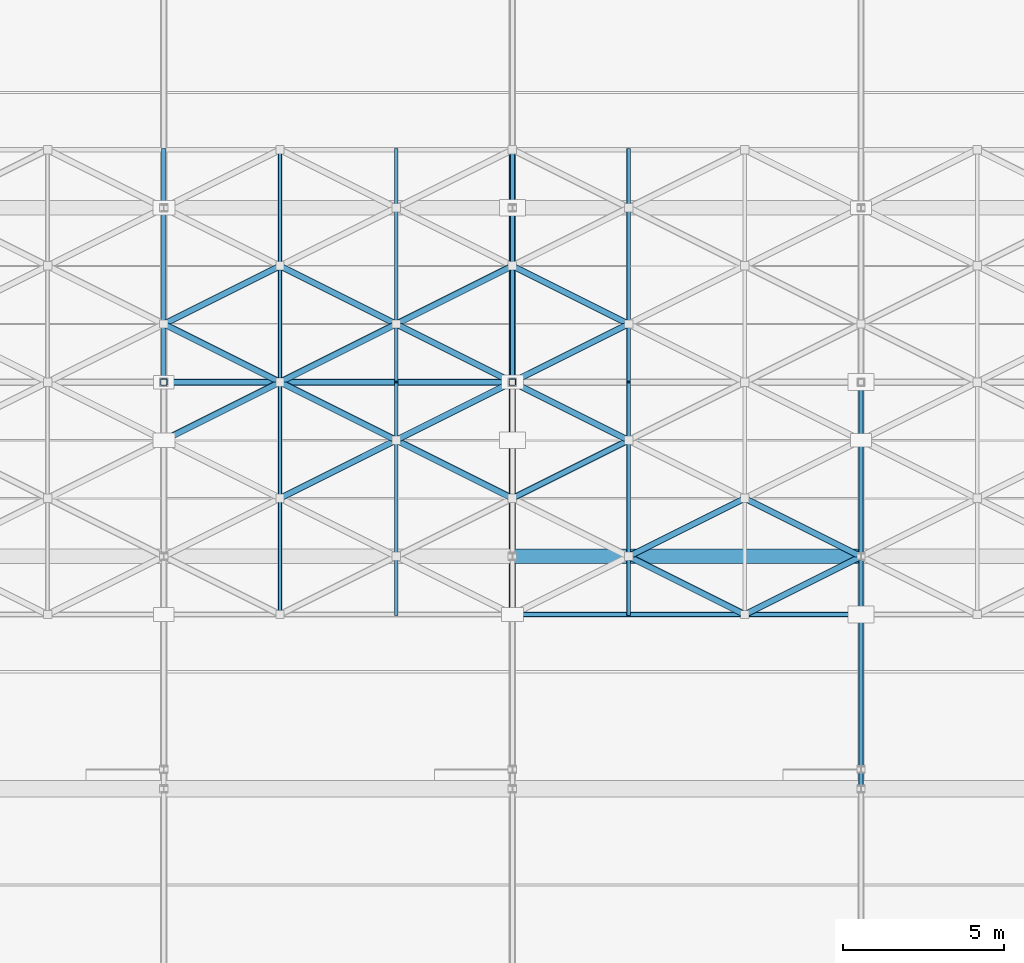
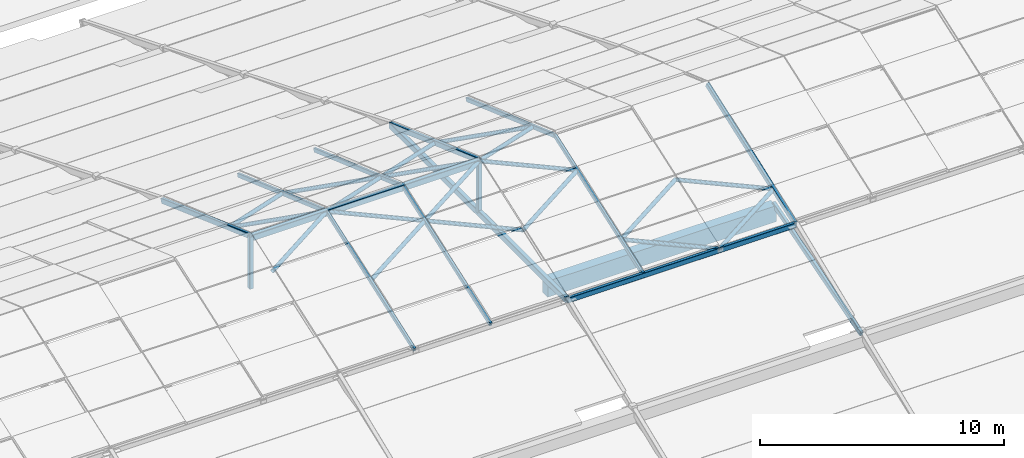
# One storey, part 44 of 112: 34 members, 1 beam.
"""IFC4 building model written with IfcOpenShell, lengths in metres."""

from ifc_helpers import new_model, si_unit, direction, frame, origin, origin_2d, place, context, subcontext, project, spatial, rectangle, hollow_rectangle, hollow_circle, extrude, material, material_profile, profile_set, type_object, element, save


model = new_model("IFC4")

# Units and contexts
model_context = context("Model", 3, precision=1e-05, world=origin(), true_north=direction((0.0, 1.0)))
body_context = subcontext(model_context, "Body", "Model", "MODEL_VIEW")
ifc_project = project(units=[si_unit("LENGTHUNIT", "METRE"), si_unit("AREAUNIT", "SQUARE_METRE"), si_unit("VOLUMEUNIT", "CUBIC_METRE"), si_unit("PLANEANGLEUNIT", "RADIAN"), si_unit("MASSUNIT", "GRAM", prefix="KILO")], contexts=[model_context])

# Site, building, storey
site_placement = place(None, origin())
site = spatial("IfcSite", under=ifc_project, at=site_placement, CompositionType="ELEMENT")
building_placement = place(site_placement, origin())
building = spatial("IfcBuilding", under=site, at=building_placement, Name="Zwinboog Wholesale Market", CompositionType="ELEMENT")
storey_placement = place(building_placement, frame((0.0, 0.0, 19.080078125)))
storey = spatial("IfcBuildingStorey", under=building, at=storey_placement, Name="Roof", CompositionType="ELEMENT", Elevation=19.080078125)

# Beam
ifc_material_1 = material(Name="Precast concrete C45/55", Category="concrete")
ifc_material_profile_1 = material_profile(ifc_material_1, rectangle(XDim=0.449951171875, YDim=0.800048828125, at=origin_2d()), Name="PC 450x800")
ifc_profile_set_1 = profile_set([ifc_material_profile_1], Name="Precast concrete C45/55")
beam_type = type_object("IfcBeamType", Name="BT-07", PredefinedType="BEAM", material=ifc_profile_set_1)
beam_placement = place(storey_placement, frame((108.0, 70.199951171875, 0.16796875), z_axis=(1.0, 0.0, 0.0), x_axis=(0.0, 1.0, 0.0)))
element("IfcBeam", 1, at=beam_placement, inside=storey, type_object=beam_type, Name="EB-02 (BMG-Roof-1080-0702-1097)", PredefinedType="BEAM", context=body_context, shape_type="SweptSolid", body=[
    extrude(rectangle(XDim=0.449951171875, YDim=0.800048828125, at=origin_2d()), origin(), (0.0, 0.0, 1.0), 10.800048828125),
])

# Members
ifc_material_2 = material(Name="Steel S355", Category="steel")
ifc_material_profile_2 = material_profile(ifc_material_2, hollow_rectangle(XDim=0.199951171875, YDim=0.300048828125, WallThickness=0.012451171875, InnerFilletRadius=0.012451171875, OuterFilletRadius=0.02490234375, at=origin_2d()), Name="RHS 300x200x12.5")
ifc_profile_set_2 = profile_set([ifc_material_profile_2], Name="Steel S355")
member_type_1 = type_object("IfcMemberType", Name="MT-01", PredefinedType="CHORD", material=ifc_profile_set_2)
member_1_placement = place(storey_placement, frame((108.0, 68.39990234375, 0.619873046875), z_axis=(0.0, 1.0, 0.0), x_axis=(-1.0, 0.0, 0.0)))
element("IfcMember", 2, at=member_1_placement, inside=storey, type_object=member_type_1, Name="DC-01 (MEM-Roof-0147)", PredefinedType="CHORD", context=body_context, shape_type="SweptSolid", body=[
    extrude(hollow_rectangle(XDim=0.199951171875, YDim=0.300048828125, WallThickness=0.012451171875, InnerFilletRadius=0.012451171875, OuterFilletRadius=0.02490234375, at=origin_2d()), origin(), (0.0, 0.0, 1.0), 14.400146484375),
])
member_2_placement = place(storey_placement, frame((97.199951171875, 75.60009765625, 3.139892578125), z_axis=(1.0, 0.0, 0.0), x_axis=(0.0, 1.0, 0.0)))
element("IfcMember", 3, at=member_2_placement, inside=storey, type_object=member_type_1, Name="DC-01 (MEM-Roof-0340)", PredefinedType="CHORD", context=body_context, shape_type="SweptSolid", body=[
    extrude(hollow_rectangle(XDim=0.199951171875, YDim=0.300048828125, WallThickness=0.012451171875, InnerFilletRadius=0.012451171875, OuterFilletRadius=0.02490234375, at=origin_2d()), origin(), (0.0, 0.0, 1.0), 10.800048828125),
])
ifc_material_profile_3 = material_profile(ifc_material_2, hollow_rectangle(XDim=0.14990234375, YDim=0.25, WallThickness=0.010009765625, InnerFilletRadius=0.010009765625, OuterFilletRadius=0.02001953125, at=origin_2d()), Name="RHS 250x150x10")
ifc_profile_set_3 = profile_set([ifc_material_profile_3], Name="Steel S355")
member_type_2 = type_object("IfcMemberType", Name="MT-02", PredefinedType="CHORD", material=ifc_profile_set_3)
for number, where, z_axis, x_axis, name in (
    (4, (97.199951171875, 82.800048828125, 0.619873046875), (0.0, -0.940549088473, 0.339657786858), (1.0, 0.0, 0.0), "DC-02 (MEM-Roof-0120)"),
    (5, (108.0, 82.800048828125, 0.619873046875), (0.0, -0.940549088473, 0.339657786858), (1.0, 0.0, 0.0), "DC-02 (MEM-Roof-0150)"),
):
    element("IfcMember", number, at=place(storey_placement, frame(where, z_axis=z_axis, x_axis=x_axis)), inside=storey, type_object=member_type_2, Name=name, PredefinedType="CHORD", context=body_context, shape_type="SweptSolid", body=[
        extrude(hollow_rectangle(XDim=0.14990234375, YDim=0.25, WallThickness=0.010009765625, InnerFilletRadius=0.010009765625, OuterFilletRadius=0.02001953125, at=origin_2d()), origin(), (0.0, 0.0, 1.0), 7.655029296875),
    ])
member_3_placement = place(storey_placement, frame((118.800048828125, 63.0, -1.60009765625), z_axis=(0.0, 0.958194819429, 0.286116563694), x_axis=(-1.0, 0.0, 0.0)))
element("IfcMember", 6, at=member_3_placement, inside=storey, type_object=member_type_2, Name="DC-02 (MEM-Roof-0163)", PredefinedType="CHORD", context=body_context, shape_type="SweptSolid", body=[
    extrude(hollow_rectangle(XDim=0.14990234375, YDim=0.25, WallThickness=0.010009765625, InnerFilletRadius=0.010009765625, OuterFilletRadius=0.02001953125, at=origin_2d()), origin(), (0.0, 0.0, 1.0), 7.51416015625),
])
member_4_placement = place(storey_placement, frame((118.800048828125, 68.39990234375, 0.619873046875), z_axis=(0.0, 0.940552767691, 0.339647598532), x_axis=(-1.0, 0.0, 0.0)))
element("IfcMember", 7, at=member_4_placement, inside=storey, type_object=member_type_2, Name="DC-02 (MEM-Roof-0179)", PredefinedType="CHORD", context=body_context, shape_type="SweptSolid", body=[
    extrude(hollow_rectangle(XDim=0.14990234375, YDim=0.25, WallThickness=0.010009765625, InnerFilletRadius=0.010009765625, OuterFilletRadius=0.02001953125, at=origin_2d()), origin(), (0.0, 0.0, 1.0), 7.6552734375),
])
member_5_placement = place(storey_placement, frame((108.0, 68.39990234375, 0.58984375), z_axis=(1.0, 0.0, 0.0), x_axis=(0.0, 1.0, 0.0)))
element("IfcMember", 8, at=member_5_placement, inside=storey, type_object=member_type_2, Name="DC-02 (MEM-Roof-0344)", PredefinedType="CHORD", context=body_context, shape_type="SweptSolid", body=[
    extrude(hollow_rectangle(XDim=0.14990234375, YDim=0.25, WallThickness=0.010009765625, InnerFilletRadius=0.010009765625, OuterFilletRadius=0.02001953125, at=origin_2d()), origin(), (0.0, 0.0, 1.0), 10.800048828125),
])
ifc_material_profile_4 = material_profile(ifc_material_2, hollow_rectangle(XDim=0.1201171875, YDim=0.199951171875, WallThickness=0.008056640625, InnerFilletRadius=0.008056640625, OuterFilletRadius=0.01611328125, at=origin_2d()), Name="RHS 200x120x8")
ifc_profile_set_4 = profile_set([ifc_material_profile_4], Name="Steel S355")
member_type_3 = type_object("IfcMemberType", Name="MT-03", PredefinedType="CHORD", material=ifc_profile_set_4)
member_6_placement = place(storey_placement, frame((100.800048828125, 68.39990234375, 0.6298828125), z_axis=(0.0, 0.942628063348, 0.333844775589), x_axis=(-1.0, 0.0, 0.0)))
element("IfcMember", 9, at=member_6_placement, inside=storey, type_object=member_type_3, Name="DC-03 (MEM-Roof-0461)", PredefinedType="CHORD", context=body_context, shape_type="SweptSolid", body=[
    extrude(hollow_rectangle(XDim=0.1201171875, YDim=0.199951171875, WallThickness=0.008056640625, InnerFilletRadius=0.008056640625, OuterFilletRadius=0.01611328125, at=origin_2d()), origin(), (0.0, 0.0, 1.0), 7.638427734375),
])
member_7_placement = place(storey_placement, frame((100.800048828125, 82.800048828125, 0.6298828125), z_axis=(0.0, -0.94262450093, 0.333854834092), x_axis=(1.0, 0.0, 0.0)))
element("IfcMember", 10, at=member_7_placement, inside=storey, type_object=member_type_3, Name="DC-03 (MEM-Roof-0462)", PredefinedType="CHORD", context=body_context, shape_type="SweptSolid", body=[
    extrude(hollow_rectangle(XDim=0.1201171875, YDim=0.199951171875, WallThickness=0.008056640625, InnerFilletRadius=0.008056640625, OuterFilletRadius=0.01611328125, at=origin_2d()), origin(), (0.0, 0.0, 1.0), 7.63818359375),
])
member_8_placement = place(storey_placement, frame((104.39990234375, 68.39990234375, 0.6298828125), z_axis=(0.0, 0.942628063348, 0.333844775589), x_axis=(-1.0, 0.0, 0.0)))
element("IfcMember", 11, at=member_8_placement, inside=storey, type_object=member_type_3, Name="DC-03 (MEM-Roof-0471)", PredefinedType="CHORD", context=body_context, shape_type="SweptSolid", body=[
    extrude(hollow_rectangle(XDim=0.1201171875, YDim=0.199951171875, WallThickness=0.008056640625, InnerFilletRadius=0.008056640625, OuterFilletRadius=0.01611328125, at=origin_2d()), origin(), (0.0, 0.0, 1.0), 7.638427734375),
])
member_9_placement = place(storey_placement, frame((104.39990234375, 82.800048828125, 0.6298828125), z_axis=(0.0, -0.94262450093, 0.333854834092), x_axis=(1.0, 0.0, 0.0)))
element("IfcMember", 12, at=member_9_placement, inside=storey, type_object=member_type_3, Name="DC-03 (MEM-Roof-0472)", PredefinedType="CHORD", context=body_context, shape_type="SweptSolid", body=[
    extrude(hollow_rectangle(XDim=0.1201171875, YDim=0.199951171875, WallThickness=0.008056640625, InnerFilletRadius=0.008056640625, OuterFilletRadius=0.01611328125, at=origin_2d()), origin(), (0.0, 0.0, 1.0), 7.63818359375),
])
member_10_placement = place(storey_placement, frame((111.60009765625, 68.39990234375, 0.6298828125), z_axis=(0.0, 0.942628063348, 0.333844775589), x_axis=(-1.0, 0.0, 0.0)))
element("IfcMember", 13, at=member_10_placement, inside=storey, type_object=member_type_3, Name="DC-03 (MEM-Roof-0491)", PredefinedType="CHORD", context=body_context, shape_type="SweptSolid", body=[
    extrude(hollow_rectangle(XDim=0.1201171875, YDim=0.199951171875, WallThickness=0.008056640625, InnerFilletRadius=0.008056640625, OuterFilletRadius=0.01611328125, at=origin_2d()), origin(), (0.0, 0.0, 1.0), 7.638427734375),
])
member_11_placement = place(storey_placement, frame((111.60009765625, 82.800048828125, 0.6298828125), z_axis=(0.0, -0.94262450093, 0.333854834092), x_axis=(1.0, 0.0, 0.0)))
element("IfcMember", 14, at=member_11_placement, inside=storey, type_object=member_type_3, Name="DC-03 (MEM-Roof-0492)", PredefinedType="CHORD", context=body_context, shape_type="SweptSolid", body=[
    extrude(hollow_rectangle(XDim=0.1201171875, YDim=0.199951171875, WallThickness=0.008056640625, InnerFilletRadius=0.008056640625, OuterFilletRadius=0.01611328125, at=origin_2d()), origin(), (0.0, 0.0, 1.0), 7.63818359375),
])
ifc_material_profile_5 = material_profile(ifc_material_2, hollow_rectangle(XDim=0.199951171875, YDim=0.199951171875, WallThickness=0.010009765625, InnerFilletRadius=0.010009765625, OuterFilletRadius=0.02001953125, at=origin_2d()), Name="SHS 200x200x10")
ifc_profile_set_5 = profile_set([ifc_material_profile_5], Name="Steel S355")
member_type_4 = type_object("IfcMemberType", Name="MT-04", PredefinedType="BRACE", material=ifc_profile_set_5)
for number, where, z_axis, x_axis, name in (
    (15, (97.199951171875, 75.60009765625, 0.619873046875), (0.0, 0.0, 1.0), (1.0, 0.0, 0.0), "DB-01 (MEM-Roof-0118)"),
    (16, (108.0, 75.60009765625, 0.619873046875), (0.0, 0.0, 1.0), (1.0, 0.0, 0.0), "DB-01 (MEM-Roof-0148)"),
):
    element("IfcMember", number, at=place(storey_placement, frame(where, z_axis=z_axis, x_axis=x_axis)), inside=storey, type_object=member_type_4, Name=name, PredefinedType="BRACE", context=body_context, shape_type="SweptSolid", body=[
        extrude(hollow_rectangle(XDim=0.199951171875, YDim=0.199951171875, WallThickness=0.010009765625, InnerFilletRadius=0.010009765625, OuterFilletRadius=0.02001953125, at=origin_2d()), origin(), (0.0, 0.0, 1.0), 2.60009765625),
    ])
ifc_material_profile_6 = material_profile(ifc_material_2, hollow_circle(Radius=0.096923828125, WallThickness=0.010009765625, at=origin_2d()), Name="CHS 193.7x10")
ifc_profile_set_6 = profile_set([ifc_material_profile_6], Name="Steel S355")
member_type_5 = type_object("IfcMemberType", Name="MT-06", PredefinedType="BRACE", material=ifc_profile_set_6)
for number, where, z_axis, x_axis, name in (
    (17, (97.199951171875, 73.800048828125, 2.54248046875), (0.883417044144, 0.441708522072, 0.156422209566), (-0.4472135955, 0.894427191, 0.0), "DB-03 (MEM-Roof-0456)"),
    (18, (97.199951171875, 77.39990234375, 2.54248046875), (0.883440420719, -0.441660299847, 0.156426348738), (0.447165069061, 0.894451452574, 0.0), "DB-03 (MEM-Roof-0457)"),
    (19, (97.199951171875, 77.39990234375, 2.54248046875), (0.883417044144, 0.441708522072, -0.156422209566), (-0.4472135955, 0.894427191, 0.0), "DB-03 (MEM-Roof-0458)"),
):
    element("IfcMember", number, at=place(storey_placement, frame(where, z_axis=z_axis, x_axis=x_axis)), inside=storey, type_object=member_type_5, Name=name, PredefinedType="BRACE", context=body_context, shape_type="SweptSolid", body=[
        extrude(hollow_circle(Radius=0.096923828125, WallThickness=0.010009765625, at=origin_2d()), origin(), (0.0, 0.0, 1.0), 4.0751953125),
    ])
for number, where, z_axis, x_axis, name in (
    (20, (100.800048828125, 72.0, 1.905029296875), (0.883403888637, 0.441731900368, 0.15643048852), (-0.447237858884, 0.894415058897, 0.0), "DB-03 (MEM-Roof-0465)"),
    (21, (100.800048828125, 75.60009765625, 3.179931640625), (0.883403888637, -0.441731900368, -0.15643048852), (0.447237858884, 0.894415058897, 0.0), "DB-03 (MEM-Roof-0466)"),
    (22, (100.800048828125, 75.60009765625, 3.179931640625), (0.883427267339, 0.441683676827, -0.15643462835), (-0.447189331129, 0.894439322774, 0.0), "DB-03 (MEM-Roof-0467)"),
    (23, (100.800048828125, 79.199951171875, 1.905029296875), (0.883403888637, -0.441731900368, 0.15643048852), (0.447237858884, 0.894415058897, 0.0), "DB-03 (MEM-Roof-0468)"),
):
    element("IfcMember", number, at=place(storey_placement, frame(where, z_axis=z_axis, x_axis=x_axis)), inside=storey, type_object=member_type_5, Name=name, PredefinedType="BRACE", context=body_context, shape_type="SweptSolid", body=[
        extrude(hollow_circle(Radius=0.096923828125, WallThickness=0.010009765625, at=origin_2d()), origin(), (0.0, 0.0, 1.0), 4.074951171875),
    ])
for number, where, z_axis, x_axis, name in (
    (24, (104.39990234375, 73.800048828125, 2.54248046875), (0.883417044144, -0.441708522072, -0.156422209566), (0.4472135955, 0.894427191, 0.0), "DB-03 (MEM-Roof-0475)"),
    (25, (104.39990234375, 73.800048828125, 2.54248046875), (0.883417044144, 0.441708522072, 0.156422209566), (-0.4472135955, 0.894427191, 0.0), "DB-03 (MEM-Roof-0476)"),
    (26, (104.39990234375, 77.39990234375, 2.54248046875), (0.883440420719, -0.441660299847, 0.156426348738), (0.447165069061, 0.894451452574, 0.0), "DB-03 (MEM-Roof-0477)"),
    (27, (104.39990234375, 77.39990234375, 2.54248046875), (0.883417044144, 0.441708522072, -0.156422209566), (-0.4472135955, 0.894427191, 0.0), "DB-03 (MEM-Roof-0478)"),
    (28, (108.0, 72.0, 1.905029296875), (0.883417044144, 0.441708522072, 0.156422209566), (-0.4472135955, 0.894427191, 0.0), "DB-03 (MEM-Roof-0485)"),
    (29, (108.0, 75.60009765625, 3.179931640625), (0.883417044144, -0.441708522072, -0.156422209566), (0.4472135955, 0.894427191, 0.0), "DB-03 (MEM-Roof-0486)"),
    (30, (108.0, 75.60009765625, 3.179931640625), (0.883440420719, 0.441660299847, -0.156426348738), (-0.447165069061, 0.894451452574, 0.0), "DB-03 (MEM-Roof-0487)"),
    (31, (108.0, 79.199951171875, 1.905029296875), (0.883417044144, -0.441708522072, 0.156422209566), (0.4472135955, 0.894427191, 0.0), "DB-03 (MEM-Roof-0488)"),
):
    element("IfcMember", number, at=place(storey_placement, frame(where, z_axis=z_axis, x_axis=x_axis)), inside=storey, type_object=member_type_5, Name=name, PredefinedType="BRACE", context=body_context, shape_type="SweptSolid", body=[
        extrude(hollow_circle(Radius=0.096923828125, WallThickness=0.010009765625, at=origin_2d()), origin(), (0.0, 0.0, 1.0), 4.0751953125),
    ])
for number, where, z_axis, x_axis, name in (
    (32, (111.60009765625, 70.199951171875, 1.267333984375), (0.883403888637, -0.441731900368, -0.15643048852), (0.447237858884, 0.894415058897, 0.0), "DB-03 (MEM-Roof-0493)"),
    (33, (111.60009765625, 70.199951171875, 1.267333984375), (0.883395607837, 0.441727759687, 0.156488933718), (-0.447237858884, 0.894415058897, 0.0), "DB-03 (MEM-Roof-0494)"),
):
    element("IfcMember", number, at=place(storey_placement, frame(where, z_axis=z_axis, x_axis=x_axis)), inside=storey, type_object=member_type_5, Name=name, PredefinedType="BRACE", context=body_context, shape_type="SweptSolid", body=[
        extrude(hollow_circle(Radius=0.096923828125, WallThickness=0.010009765625, at=origin_2d()), origin(), (0.0, 0.0, 1.0), 4.074951171875),
    ])
for number, where, z_axis, x_axis, name in (
    (34, (115.199951171875, 68.39990234375, 0.6298828125), (0.883417044144, 0.441708522072, 0.156422209566), (-0.4472135955, 0.894427191, 0.0), "DB-03 (MEM-Roof-0503)"),
    (35, (115.199951171875, 72.0, 1.905029296875), (0.883408764097, -0.441704382048, -0.156480651826), (0.4472135955, 0.894427191, 0.0), "DB-03 (MEM-Roof-0504)"),
):
    element("IfcMember", number, at=place(storey_placement, frame(where, z_axis=z_axis, x_axis=x_axis)), inside=storey, type_object=member_type_5, Name=name, PredefinedType="BRACE", context=body_context, shape_type="SweptSolid", body=[
        extrude(hollow_circle(Radius=0.096923828125, WallThickness=0.010009765625, at=origin_2d()), origin(), (0.0, 0.0, 1.0), 4.0751953125),
    ])

save(model, "model.ifc")
